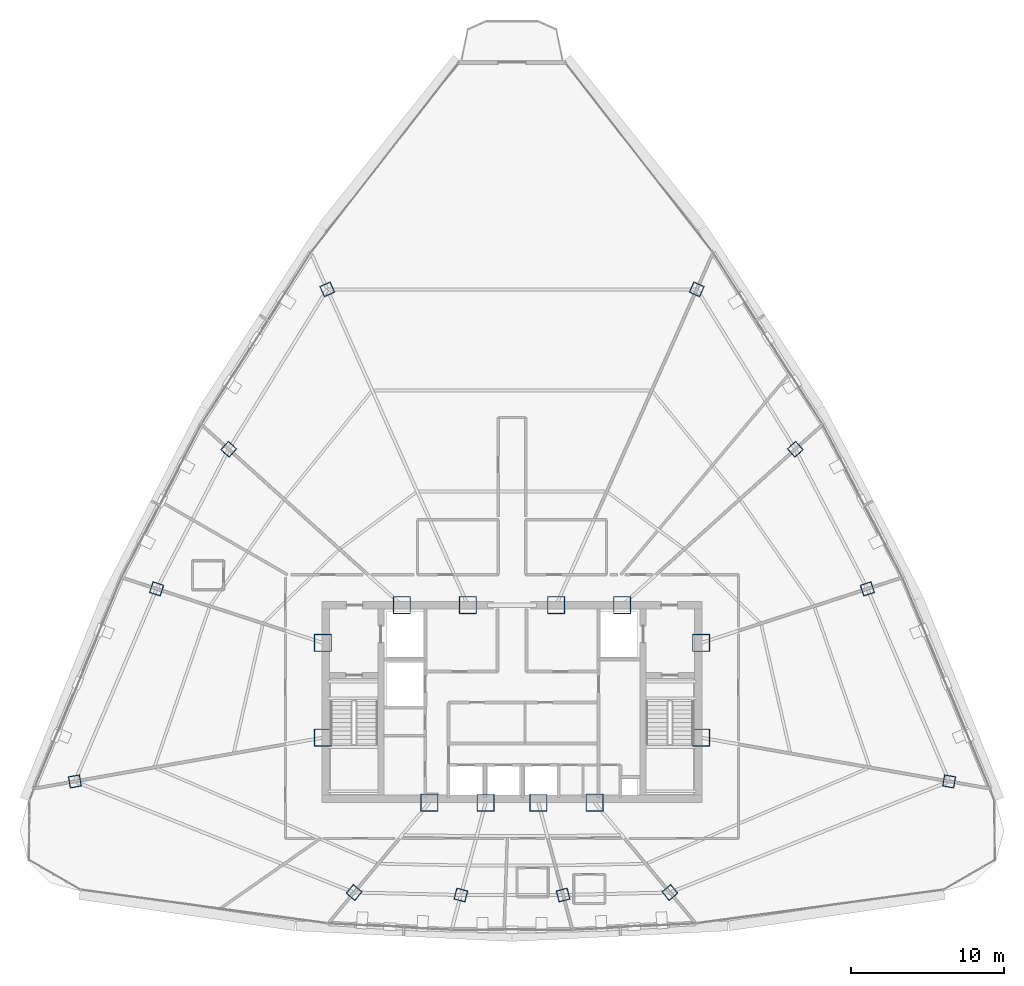
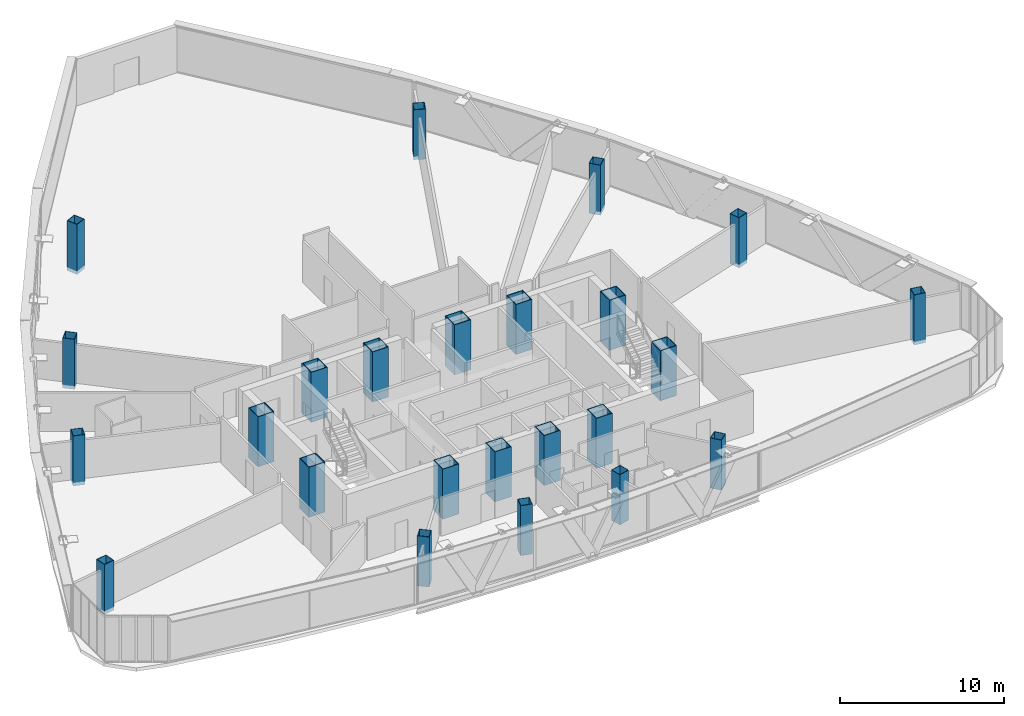
# One storey, part 1 of 39: 24 columns.
"""IFC4 building model written with IfcOpenShell, lengths in metres."""

import ifcopenshell
import ifcopenshell.guid

model = None  # the IFC model being written
_history = None  # IfcOwnerHistory: only IFC2X3 demands one
_inside = {}  # id of a spatial element -> (the spatial element, [elements in it])
_under = {}  # id of a project, library or spatial element -> (it, [spatial elements below it])
_declared = {}  # id of a project -> (the project, [libraries it declares])
_typed = {}  # id of a type object -> (the type object, [elements of that type])
_made_of = {}  # id of a material, layer set ... -> (it, [elements and type objects made of it])


def new_model(schema):
    """Start an empty IFC model of exactly this schema.

    Asked for "IFC4X3", IfcOpenShell would pick the latest addendum, in which some entities
    have other attributes; the version numbers below select the first issue.
    IFC2X3 requires an IfcOwnerHistory on every rooted entity: one is made here for all.
    """
    global model, _history
    if schema == "IFC4X3":
        model = ifcopenshell.file(schema_version=(4, 3, 0, 0))
    else:
        model = ifcopenshell.file(schema=schema)
    _inside.clear()
    _under.clear()
    _declared.clear()
    _typed.clear()
    _made_of.clear()
    _history = None
    if model.schema == "IFC2X3":
        org = make("IfcOrganization", Name="unknown")
        user = make(
            "IfcPersonAndOrganization",
            ThePerson=make("IfcPerson", FamilyName="unknown"),
            TheOrganization=org,
        )
        app = make(
            "IfcApplication",
            ApplicationDeveloper=org,
            Version="unknown",
            ApplicationFullName="unknown",
            ApplicationIdentifier="unknown",
        )
        _history = make(
            "IfcOwnerHistory",
            OwningUser=user,
            OwningApplication=app,
            ChangeAction="ADDED",
            CreationDate=0,
        )
    return model


def make(cls, **values):
    """One entity of the class cls with the attributes given. An attribute that is None is left unset."""
    return model.create_entity(
        cls, **{name: value for name, value in values.items() if value is not None}
    )


def rooted(cls, **values):
    """An entity with a GlobalId (a new one), such as an element, a storey or a relation."""
    return make(cls, GlobalId=ifcopenshell.guid.new(), OwnerHistory=_history, **values)


def si_unit(unit_type, name, prefix=None):
    """IfcSIUnit, for example si_unit("LENGTHUNIT", "METRE", prefix="MILLI")."""
    return make("IfcSIUnit", UnitType=unit_type, Prefix=prefix, Name=name)


def assignment(units):
    """IfcUnitAssignment: the units of a project."""
    return None if units is None else make("IfcUnitAssignment", Units=units)


def point(xyz):
    """IfcCartesianPoint."""
    return None if xyz is None else make("IfcCartesianPoint", Coordinates=xyz)


def direction(xyz):
    """IfcDirection."""
    return None if xyz is None else make("IfcDirection", DirectionRatios=xyz)


def frame(location, z_axis=None, x_axis=None):
    """IfcAxis2Placement3D, a coordinate frame: its origin and axes. An axis left out is left unset."""
    return make(
        "IfcAxis2Placement3D",
        Location=point(location),
        Axis=direction(z_axis),
        RefDirection=direction(x_axis),
    )


def frame_2d(location, x_axis=None):
    """IfcAxis2Placement2D, a coordinate frame in the plane: its origin and x axis."""
    return make(
        "IfcAxis2Placement2D", Location=point(location), RefDirection=direction(x_axis)
    )


def origin():
    """The frame at (0, 0, 0) with its axes left unset."""
    return frame((0.0, 0.0, 0.0))


def origin_2d():
    """The frame at (0, 0) in the plane with its x axis left unset."""
    return frame_2d((0.0, 0.0))


def place(relative_to, where):
    """IfcLocalPlacement: puts the frame where relative to a parent placement (None: the world)."""
    return make(
        "IfcLocalPlacement", PlacementRelTo=relative_to, RelativePlacement=where
    )


def context(
    kind, dimensions, precision=None, world=None, true_north=None, identifier=None
):
    """IfcGeometricRepresentationContext, for example the 3D "Model" context."""
    return make(
        "IfcGeometricRepresentationContext",
        ContextIdentifier=identifier,
        ContextType=kind,
        CoordinateSpaceDimension=dimensions,
        Precision=precision,
        WorldCoordinateSystem=world,
        TrueNorth=true_north,
    )


def subcontext(parent, identifier, kind, view, scale=None):
    """IfcGeometricRepresentationSubContext, for example "Body" below "Model"."""
    return make(
        "IfcGeometricRepresentationSubContext",
        ContextIdentifier=identifier,
        ContextType=kind,
        ParentContext=parent,
        TargetScale=scale,
        TargetView=view,
    )


def project(units=None, contexts=None):
    """IfcProject with its units and contexts."""
    return rooted(
        "IfcProject",
        Name="project",
        RepresentationContexts=contexts,
        UnitsInContext=assignment(units),
    )


def spatial(cls, under=None, at=None, **own):
    """A site, building, storey or space (cls), placed at a placement, below another one or the project."""
    s = rooted(cls, ObjectPlacement=at, **own)
    if under is not None:
        _under.setdefault(under.id(), (under, []))[1].append(s)
    return s


def profile(cls, at=None, kind="AREA", **sizes):
    """A parametric profile (cls). Its sizes go by their IFC names, for example OverallWidth=200.0."""
    return make(cls, ProfileType=kind, Position=at, **sizes)


def hollow_rectangle(**sizes):
    """IfcRectangleHollowProfileDef."""
    return profile("IfcRectangleHollowProfileDef", **sizes)


def extrude(swept, where, along, depth):
    """IfcExtrudedAreaSolid: the profile swept, set in the frame where, extruded along a direction by depth."""
    return make(
        "IfcExtrudedAreaSolid",
        SweptArea=swept,
        Position=where,
        ExtrudedDirection=direction(along),
        Depth=depth,
    )


def shape(context_of_items, identifier, shape_type, items):
    """IfcShapeRepresentation: the items that make up one representation, for example the "Body"."""
    return make(
        "IfcShapeRepresentation",
        ContextOfItems=context_of_items,
        RepresentationIdentifier=identifier,
        RepresentationType=shape_type,
        Items=items,
    )


def source(mapping_origin, context_of_items, identifier, shape_type, items):
    """IfcRepresentationMap: a shape defined once, which mapped items show again and again."""
    return make(
        "IfcRepresentationMap",
        MappingOrigin=mapping_origin,
        MappedRepresentation=shape(context_of_items, identifier, shape_type, items),
    )


def transform(
    local_origin,
    x_axis=None,
    y_axis=None,
    z_axis=None,
    scale=None,
    scale2=None,
    scale3=None,
    uniform=True,
):
    """IfcCartesianTransformationOperator3D, or its non-uniform kind. x_axis, y_axis, z_axis: its Axis1, 2, 3."""
    if uniform:
        return make(
            "IfcCartesianTransformationOperator3D",
            Axis1=direction(x_axis),
            Axis2=direction(y_axis),
            LocalOrigin=point(local_origin),
            Scale=scale,
            Axis3=direction(z_axis),
        )
    return make(
        "IfcCartesianTransformationOperator3DnonUniform",
        Axis1=direction(x_axis),
        Axis2=direction(y_axis),
        LocalOrigin=point(local_origin),
        Scale=scale,
        Axis3=direction(z_axis),
        Scale2=scale2,
        Scale3=scale3,
    )


def mapped(mapping_source, mapping_target):
    """IfcMappedItem: shows the shape of a source again, moved by a transform."""
    return make(
        "IfcMappedItem", MappingSource=mapping_source, MappingTarget=mapping_target
    )


def material(Name=None, Category=None):
    """IfcMaterial."""
    return make("IfcMaterial", Name=Name, Category=Category)


def material_profile(
    of_material, cross_section, Name=None, Category=None, Priority=None
):
    """IfcMaterialProfile: a cross section and its material."""
    return make(
        "IfcMaterialProfile",
        Name=Name,
        Material=of_material,
        Profile=cross_section,
        Priority=Priority,
        Category=Category,
    )


def profile_set(profiles, Name=None, composite=None):
    """IfcMaterialProfileSet."""
    return make(
        "IfcMaterialProfileSet",
        Name=Name,
        MaterialProfiles=profiles,
        CompositeProfile=composite,
    )


def made_of(thing, what):
    """Note that an element or type object is made of a material, layer set ...; save() writes the relation."""
    if what is not None:
        _made_of.setdefault(what.id(), (what, []))[1].append(thing)
    return thing


def type_object(cls, material=None, **own):
    """A type object (cls), such as IfcWallType, which elements share."""
    return made_of(rooted(cls, **own), material)


def element(
    cls,
    number,
    at=None,
    inside=None,
    cuts=None,
    type_object=None,
    material=None,
    context=None,
    identifier="Body",
    shape_type=None,
    held_by="IfcProductDefinitionShape",
    body=None,
    shapes=None,
    **own,
):
    """One element of the class cls, such as IfcWall. Its Tag is "e" and its number.

    at: its placement. inside: the storey or other place that contains it. cuts: it is an
    opening in that element (IfcRelVoidsElement). A single representation is given by context,
    identifier, shape_type and body (its items); several are given by shapes. held_by: the class
    of the entity that holds the representations. save() writes the other relations.
    """
    e = rooted(cls, Tag="e%d" % number, ObjectPlacement=at, **own)
    if body is not None:
        shapes = [shape(context, identifier, shape_type, body)]
    if shapes is not None:
        e.Representation = make(held_by, Representations=shapes)
    if inside is not None:
        _inside.setdefault(inside.id(), (inside, []))[1].append(e)
    if cuts is not None:
        rooted(
            "IfcRelVoidsElement", RelatingBuildingElement=cuts, RelatedOpeningElement=e
        )
    if type_object is not None:
        _typed.setdefault(type_object.id(), (type_object, []))[1].append(e)
    return made_of(e, material)


def aggregate(whole, parts):
    """IfcRelAggregates: a whole, such as a stair, and the parts it consists of."""
    return rooted("IfcRelAggregates", RelatingObject=whole, RelatedObjects=parts)


def save(model, path):
    """Write the relations noted so far, then the file.

    IfcRelAggregates (storeys below a building ...), IfcRelContainedInSpatialStructure (elements
    in a storey), IfcRelDefinesByType, IfcRelAssociatesMaterial and IfcRelDeclares: one each for
    every whole, place, type object, material and project.
    """
    for whole, parts in _under.values():
        aggregate(whole, parts)
    for where, things in _inside.values():
        rooted(
            "IfcRelContainedInSpatialStructure",
            RelatedElements=things,
            RelatingStructure=where,
        )
    for kind, things in _typed.values():
        rooted("IfcRelDefinesByType", RelatedObjects=things, RelatingType=kind)
    for what, things in _made_of.values():
        rooted("IfcRelAssociatesMaterial", RelatedObjects=things, RelatingMaterial=what)
    for by, libraries in _declared.values():
        rooted("IfcRelDeclares", RelatingContext=by, RelatedDefinitions=libraries)
    model.write(path)


model = new_model("IFC4")

# Units and contexts
model_context = context("Model", 3, precision=1e-05, world=origin(), true_north=direction((0.0, 1.0)))
body_context = subcontext(model_context, "Body", "Model", "MODEL_VIEW")
ifc_project = project(units=[si_unit("LENGTHUNIT", "METRE"), si_unit("AREAUNIT", "SQUARE_METRE"), si_unit("VOLUMEUNIT", "CUBIC_METRE"), si_unit("PLANEANGLEUNIT", "RADIAN"), si_unit("MASSUNIT", "GRAM", prefix="KILO"), si_unit("THERMODYNAMICTEMPERATUREUNIT", "KELVIN"), si_unit("POWERUNIT", "WATT")], contexts=[model_context])

# Site, building, storey
site_placement = place(None, origin())
site = spatial("IfcSite", under=ifc_project, at=site_placement, CompositionType="ELEMENT")
building_placement = place(site_placement, origin())
building = spatial("IfcBuilding", under=site, at=building_placement, Name="Yunzhuo Pagoda Commons", CompositionType="ELEMENT")
storey_placement = place(building_placement, frame((0.0, 0.0, 296.2099609375)))
storey = spatial("IfcBuildingStorey", under=building, at=storey_placement, Name="L74", CompositionType="ELEMENT", Elevation=296.2099609375)

# Columns
ifc_material_1 = material(Name="Structural steel Q420B", Category="steel")
ifc_material_profile_1 = material_profile(ifc_material_1, hollow_rectangle(XDim=1.14990234375, YDim=1.14990234375, WallThickness=0.048095703125, at=origin_2d()), Name="Structural steel Q420B")
ifc_profile_set_1 = profile_set([ifc_material_profile_1], Name="Structural steel Q420B")
column_type_1 = type_object("IfcColumnType", Name="C-COR Column BOX 1150x1150x48", PredefinedType="COLUMN", material=ifc_profile_set_1)
shared_shape_1 = source(origin(), body_context, "Body", "SweptSolid", [
    extrude(hollow_rectangle(XDim=1.14990234375, YDim=1.14990234375, WallThickness=0.048095703125, at=origin_2d()), origin(), (0.0, 0.0, 1.0), 3.72998046875),
])
for number, where, z_axis, x_axis, name in (
    (1, (42.587890625, 27.25, -0.260009765625), (0.0, 0.0, 1.0), (1.0, 0.0, 0.0), "L74 core composite column F1C1"),
    (2, (46.27197265625, 27.25, -0.260009765625), (0.0, 0.0, 1.0), (1.0, 0.0, 0.0), "L74 core composite column F1C2"),
    (3, (49.728515625, 27.25, -0.260009765625), (0.0, 0.0, 1.0), (1.0, 0.0, 0.0), "L74 core composite column F1C3"),
    (4, (53.412109375, 27.25, -0.260009765625), (0.0, 0.0, 1.0), (1.0, 0.0, 0.0), "L74 core composite column F1C4"),
    (5, (60.39990234375, 31.513427734375, -0.260009765625), (0.0, 0.0, 1.0), (1.0, 0.0, 0.0), "L74 core composite column F2C1"),
    (6, (60.39990234375, 37.72900390625, -0.260009765625), (0.0, 0.0, 1.0), (1.0, 0.0, 0.0), "L74 core composite column F2C2"),
    (7, (55.218994140625, 40.199951171875, -0.260009765625), (0.0, 0.0, 1.0), (1.0, 0.0, 0.0), "L74 core composite column F2C3"),
    (8, (50.89404296875, 40.199951171875, -0.260009765625), (0.0, 0.0, 1.0), (1.0, 0.0, 0.0), "L74 core composite column F2C4"),
    (9, (45.10595703125, 40.199951171875, -0.260009765625), (0.0, 0.0, 1.0), (1.0, 0.0, 0.0), "L74 core composite column F3C1"),
    (10, (40.781005859375, 40.199951171875, -0.260009765625), (0.0, 0.0, 1.0), (1.0, 0.0, 0.0), "L74 core composite column F3C2"),
    (11, (35.60009765625, 37.72900390625, -0.260009765625), (0.0, 0.0, 1.0), (1.0, 0.0, 0.0), "L74 core composite column F3C3"),
    (12, (35.60009765625, 31.513427734375, -0.260009765625), (0.0, 0.0, 1.0), (1.0, 0.0, 0.0), "L74 core composite column F3C4"),
):
    element("IfcColumn", number, at=place(storey_placement, frame(where, z_axis=z_axis, x_axis=x_axis)), inside=storey, type_object=column_type_1, Name=name, PredefinedType="COLUMN", context=body_context, shape_type="MappedRepresentation", body=[
        mapped(shared_shape_1, transform((0.0, 0.0, 0.0), scale=1.0)),
    ])
ifc_material_2 = material(Name="Structural steel Q355B", Category="steel")
ifc_material_profile_2 = material_profile(ifc_material_2, hollow_rectangle(XDim=0.75, YDim=0.75, WallThickness=0.028076171875, at=origin_2d()), Name="Structural steel Q355B")
ifc_profile_set_2 = profile_set([ifc_material_profile_2], Name="Structural steel Q355B")
column_type_2 = type_object("IfcColumnType", Name="C-Z6 Column BOX 750x750x28", PredefinedType="COLUMN", material=ifc_profile_set_2)
shared_shape_2 = source(origin(), body_context, "Body", "SweptSolid", [
    extrude(hollow_rectangle(XDim=0.75, YDim=0.75, WallThickness=0.028076171875, at=origin_2d()), origin(), (0.0, 0.0, 1.0), 3.72998046875),
])
for number, where, z_axis, x_axis, name in (
    (13, (37.64697265625, 21.361572265625, -0.260009765625), (0.0, 0.0, 1.0), (0.766044443119, -0.642787609687, 0.0), "L74 tower column F1C1"),
    (14, (44.6494140625, 21.195556640625, -0.260009765625), (0.0, 0.0, 1.0), (0.965925826289, -0.258819045103, 0.0), "L74 tower column F1C2"),
    (15, (51.3505859375, 21.195556640625, -0.260009765625), (0.0, 0.0, 1.0), (0.965925826289, 0.258819045103, 0.0), "L74 tower column F1C3"),
    (16, (58.353515625, 21.361572265625, -0.260009765625), (0.0, 0.0, 1.0), (0.766044443119, 0.642787609687, 0.0), "L74 tower column F1C4"),
    (17, (76.66162109375, 28.646240234375, -0.260009765625), (0.0, 0.0, 1.0), (0.173648177667, 0.984807753012, 0.0), "L74 tower column F2C1"),
    (18, (71.302490234375, 41.271484375, -0.260009765625), (0.0, 0.0, 1.0), (-0.309016994375, 0.951056516295, 0.0), "L74 tower column F2C2"),
    (19, (66.5732421875, 50.423583984375, -0.260009765625), (0.0, 0.0, 1.0), (-0.669130606359, 0.743144825477, 0.0), "L74 tower column F2C3"),
    (20, (60.1142578125, 60.9091796875, -0.260009765625), (0.0, 0.0, 1.0), (-0.913545457643, 0.406736643076, 0.0), "L74 tower column F2C4"),
    (21, (35.8857421875, 60.9091796875, -0.260009765625), (0.0, 0.0, 1.0), (-0.913545457643, -0.406736643076, 0.0), "L74 tower column F3C1"),
    (22, (29.4267578125, 50.423583984375, -0.260009765625), (0.0, 0.0, 1.0), (-0.669130606359, -0.743144825477, 0.0), "L74 tower column F3C2"),
    (23, (24.697509765625, 41.271484375, -0.260009765625), (0.0, 0.0, 1.0), (-0.309016994375, -0.951056516295, 0.0), "L74 tower column F3C3"),
    (24, (19.33837890625, 28.646240234375, -0.260009765625), (0.0, 0.0, 1.0), (0.173648177667, -0.984807753012, 0.0), "L74 tower column F3C4"),
):
    element("IfcColumn", number, at=place(storey_placement, frame(where, z_axis=z_axis, x_axis=x_axis)), inside=storey, type_object=column_type_2, Name=name, PredefinedType="COLUMN", context=body_context, shape_type="MappedRepresentation", body=[
        mapped(shared_shape_2, transform((0.0, 0.0, 0.0), scale=1.0)),
    ])

save(model, "model.ifc")
